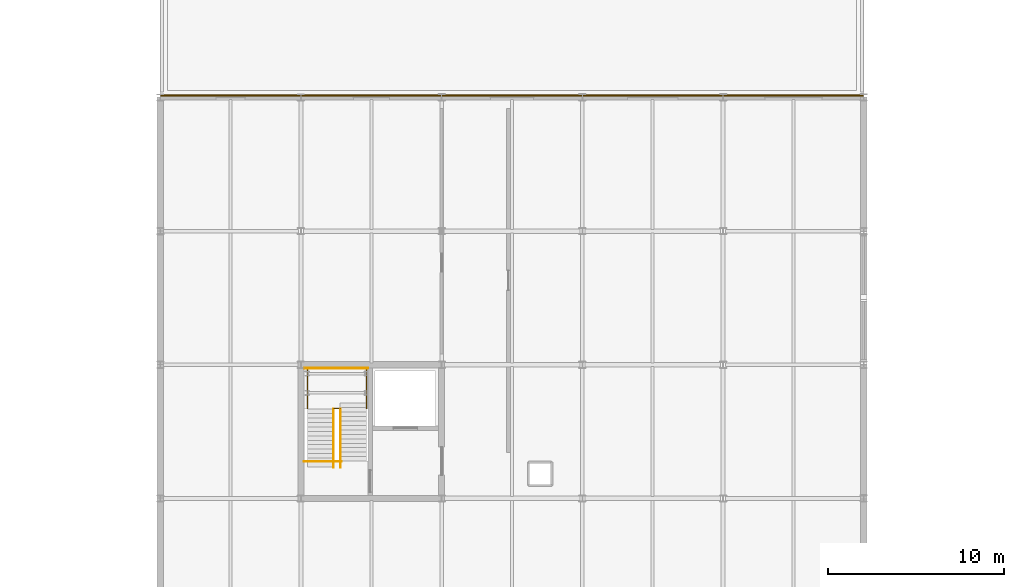
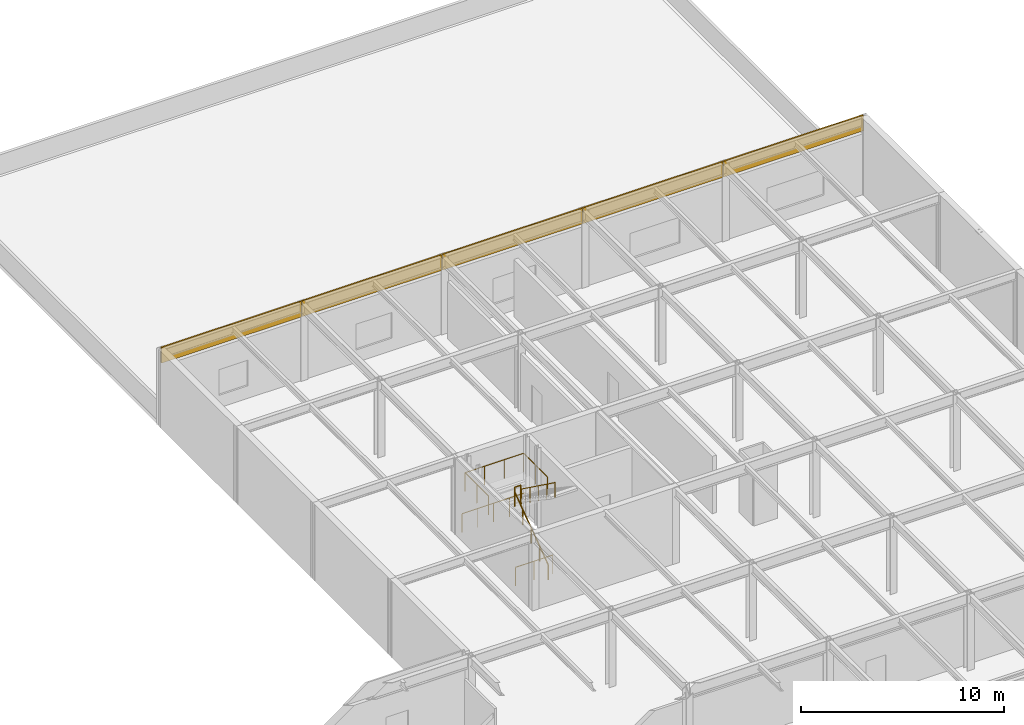
# One storey, part 102 of 104: 6 railings, 5 coverings.
"""IFC4 building model written with IfcOpenShell, lengths in metres."""

from ifc_helpers import new_model, si_unit, direction, frame, origin, origin_2d, place, context, subcontext, project, spatial, rectangle, circle, extrude, material, layer, layer_set, type_object, element, save


model = new_model("IFC4")

# Units and contexts
model_context = context("Model", 3, precision=1e-05, world=origin(), true_north=direction((0.0, 1.0)))
body_context = subcontext(model_context, "Body", "Model", "MODEL_VIEW")
ifc_project = project(units=[si_unit("LENGTHUNIT", "METRE"), si_unit("AREAUNIT", "SQUARE_METRE"), si_unit("VOLUMEUNIT", "CUBIC_METRE"), si_unit("PLANEANGLEUNIT", "RADIAN"), si_unit("MASSUNIT", "GRAM", prefix="KILO")], contexts=[model_context])

# Site, building, storey
site_placement = place(None, origin())
site = spatial("IfcSite", under=ifc_project, at=site_placement, CompositionType="ELEMENT")
building_placement = place(site_placement, origin())
building = spatial("IfcBuilding", under=site, at=building_placement, Name="Zulena Civic Courthouse", CompositionType="ELEMENT")
storey_placement = place(building_placement, frame((0.0, 0.0, 10.800048828125)))
storey = spatial("IfcBuildingStorey", under=building, at=storey_placement, Name="L02", CompositionType="ELEMENT", Elevation=10.800048828125)

# Railings
ifc_material_1 = material(Name="Brushed architectural steel ASTM A36", Category="steel")
railing_type_1 = type_object("IfcRailingType", Name="InteriorGuardrail_1150", PredefinedType="GUARDRAIL", material=ifc_material_1)
railing_1_placement = place(storey_placement, frame((76.199951171875, 75.81005859375, 0.0)))
element("IfcRailing", 1, at=railing_1_placement, inside=storey, type_object=railing_type_1, Name="gr:wellN:K5B:L01", PredefinedType="GUARDRAIL", context=body_context, shape_type="SweptSolid", body=[
    extrude(circle(Radius=0.02392578125, at=origin_2d()), frame((0.00390625, 0.0, 1.1259765625), z_axis=(1.0, 0.0, 0.0), x_axis=(0.0, 1.0, 0.0)), (0.0, 0.0, 1.0), 3.592041015625),
    extrude(circle(Radius=0.02099609375, at=origin_2d()), origin(), (0.0, 0.0, 1.0), 1.097900390625),
    extrude(circle(Radius=0.02099609375, at=origin_2d()), frame((0.89990234375, 0.0, 0.0)), (0.0, 0.0, 1.0), 1.097900390625),
    extrude(circle(Radius=0.02099609375, at=origin_2d()), frame((1.800048828125, 0.0, 0.0)), (0.0, 0.0, 1.0), 1.097900390625),
    extrude(circle(Radius=0.02099609375, at=origin_2d()), frame((2.7001953125, 0.0, 0.0)), (0.0, 0.0, 1.0), 1.097900390625),
    extrude(circle(Radius=0.02099609375, at=origin_2d()), frame((3.60009765625, 0.0, 0.0)), (0.0, 0.0, 1.0), 1.097900390625),
])
railing_2_placement = place(storey_placement, frame((76.179931640625, 70.5, 0.0)))
element("IfcRailing", 2, at=railing_2_placement, inside=storey, type_object=railing_type_1, Name="gr:wells:K5B:L02", PredefinedType="GUARDRAIL", context=body_context, shape_type="SweptSolid", body=[
    extrude(circle(Radius=0.02392578125, at=origin_2d()), frame((0.00390625, 0.0, 1.1259765625), z_axis=(1.0, 0.0, 0.0), x_axis=(0.0, 1.0, 0.0)), (0.0, 0.0, 1.0), 2.112060546875),
    extrude(circle(Radius=0.02099609375, at=origin_2d()), origin(), (0.0, 0.0, 1.0), 1.097900390625),
    extrude(circle(Radius=0.02099609375, at=origin_2d()), frame((1.06005859375, 0.0, 0.0)), (0.0, 0.0, 1.0), 1.097900390625),
    extrude(circle(Radius=0.02099609375, at=origin_2d()), frame((2.1201171875, 0.0, 0.0)), (0.0, 0.0, 1.0), 1.097900390625),
])
railing_3_placement = place(storey_placement, frame((76.3798828125, 73.49462890625, 2.39990234375)))
element("IfcRailing", 3, at=railing_3_placement, inside=storey, type_object=railing_type_1, Name="gr:lnd:K5B:L02", PredefinedType="GUARDRAIL", context=body_context, shape_type="SweptSolid", body=[
    extrude(circle(Radius=0.02392578125, at=origin_2d()), frame((0.0, 0.00390625, 1.1259765625), z_axis=(0.0, 1.0, 0.0), x_axis=(-1.0, 0.0, 0.0)), (0.0, 0.0, 1.0), 2.3173828125),
    extrude(circle(Radius=0.02392578125, at=origin_2d()), frame((0.00390625, 2.325439453125, 1.1259765625), z_axis=(1.0, 0.0, 0.0), x_axis=(0.0, 1.0, 0.0)), (0.0, 0.0, 1.0), 3.33203125),
    extrude(circle(Radius=0.02392578125, at=origin_2d()), frame((3.340087890625, 2.321533203125, 1.1259765625), z_axis=(0.0, -1.0, 0.0), x_axis=(1.0, 0.0, 0.0)), (0.0, 0.0, 1.0), 2.3173828125),
    extrude(circle(Radius=0.02099609375, at=origin_2d()), origin(), (0.0, 0.0, 1.0), 1.097900390625),
    extrude(circle(Radius=0.02099609375, at=origin_2d()), frame((0.0, 1.16259765625, 0.0)), (0.0, 0.0, 1.0), 1.097900390625),
    extrude(circle(Radius=0.02099609375, at=origin_2d()), frame((0.0, 2.325439453125, 0.0)), (0.0, 0.0, 1.0), 1.097900390625),
    extrude(circle(Radius=0.02099609375, at=origin_2d()), frame((1.11328125, 2.325439453125, 0.0)), (0.0, 0.0, 1.0), 1.097900390625),
    extrude(circle(Radius=0.02099609375, at=origin_2d()), frame((2.226806640625, 2.325439453125, 0.0)), (0.0, 0.0, 1.0), 1.097900390625),
    extrude(circle(Radius=0.02099609375, at=origin_2d()), frame((3.340087890625, 2.325439453125, 0.0)), (0.0, 0.0, 1.0), 1.097900390625),
    extrude(circle(Radius=0.02099609375, at=origin_2d()), frame((3.340087890625, 1.16259765625, 0.0)), (0.0, 0.0, 1.0), 1.097900390625),
    extrude(circle(Radius=0.02099609375, at=origin_2d()), frame((3.340087890625, 0.0, 0.0)), (0.0, 0.0, 1.0), 1.097900390625),
])
railing_4_placement = place(storey_placement, frame((77.8798828125, 73.514892578125, 2.39990234375)))
element("IfcRailing", 4, at=railing_4_placement, inside=storey, type_object=railing_type_1, Name="gr:lndslot:K5B:L02", PredefinedType="GUARDRAIL", context=body_context, shape_type="SweptSolid", body=[
    extrude(circle(Radius=0.02392578125, at=origin_2d()), frame((0.00390625, 0.0, 1.1259765625), z_axis=(1.0, 0.0, 0.0), x_axis=(0.0, 1.0, 0.0)), (0.0, 0.0, 1.0), 0.33203125),
    extrude(circle(Radius=0.02099609375, at=origin_2d()), origin(), (0.0, 0.0, 1.0), 1.097900390625),
    extrude(circle(Radius=0.02099609375, at=origin_2d()), frame((0.340087890625, 0.0, 0.0)), (0.0, 0.0, 1.0), 1.097900390625),
])

# Coverings
ifc_material_2 = material(Name="White architectural precast concrete C40/50", Category="concrete")
ifc_layer = layer(ifc_material_2, 0.0849609375)
ifc_layer_set = layer_set([ifc_layer], Name="White architectural precast concrete C40/50")
covering_type = type_object("IfcCoveringType", Name="PrecastSpandrelCladding_85", PredefinedType="CLADDING", material=ifc_layer_set)
for number, where, z_axis, x_axis, name in (
    (5, (72.0, 91.320068359375, 3.659912109375), (0.0, 0.0, 1.0), (1.0, 0.0, 0.0), "clad:sp:V5:L02:3:0"),
    (6, (80.0, 91.320068359375, 3.659912109375), (0.0, 0.0, 1.0), (1.0, 0.0, 0.0), "clad:sp:V5:L02:3:1"),
    (7, (88.0, 91.320068359375, 3.659912109375), (0.0, 0.0, 1.0), (1.0, 0.0, 0.0), "clad:sp:V5:L02:3:2"),
    (8, (96.0, 91.320068359375, 3.659912109375), (0.0, 0.0, 1.0), (1.0, 0.0, 0.0), "clad:sp:V5:L02:3:3"),
    (9, (104.0, 91.320068359375, 3.659912109375), (0.0, 0.0, 1.0), (1.0, 0.0, 0.0), "clad:sp:V5:L02:3:4"),
):
    element("IfcCovering", number, at=place(storey_placement, frame(where, z_axis=z_axis, x_axis=x_axis)), inside=storey, type_object=covering_type, Name=name, PredefinedType="CLADDING", context=body_context, shape_type="SweptSolid", body=[
        extrude(rectangle(XDim=7.9599609375, YDim=0.0849609375, at=origin_2d()), origin(), (0.0, 0.0, 1.0), 0.93994140625),
    ])

# Railings
railing_type_2 = type_object("IfcRailingType", Name="StairHandrail_920", PredefinedType="HANDRAIL", material=ifc_material_1)
railing_5_placement = place(storey_placement, frame((77.85009765625, 70.179931640625, 0.0)))
element("IfcRailing", 10, at=railing_5_placement, inside=storey, type_object=railing_type_2, Name="hr:K5B:L02:1", PredefinedType="HANDRAIL", context=body_context, shape_type="SweptSolid", body=[
    extrude(circle(Radius=0.02392578125, at=origin_2d()), frame((0.0, 0.003173828125, 0.898193359375), z_axis=(0.0, 0.80998804985, 0.586446382119), x_axis=(-1.0, 0.0, 0.0)), (0.0, 0.0, 1.0), 4.084228515625),
    extrude(circle(Radius=0.02099609375, at=origin_2d()), origin(), (0.0, 0.0, 1.0), 0.867919921875),
    extrude(circle(Radius=0.02099609375, at=origin_2d()), frame((0.0, 0.82861328125, 0.60009765625)), (0.0, 0.0, 1.0), 0.867919921875),
    extrude(circle(Radius=0.02099609375, at=origin_2d()), frame((0.0, 1.6572265625, 1.199951171875)), (0.0, 0.0, 1.0), 0.867919921875),
    extrude(circle(Radius=0.02099609375, at=origin_2d()), frame((0.0, 2.486083984375, 1.7998046875)), (0.0, 0.0, 1.0), 0.867919921875),
    extrude(circle(Radius=0.02099609375, at=origin_2d()), frame((0.0, 3.314697265625, 2.39990234375)), (0.0, 0.0, 1.0), 0.867919921875),
])
railing_6_placement = place(storey_placement, frame((78.25, 73.49462890625, 2.39990234375)))
element("IfcRailing", 11, at=railing_6_placement, inside=storey, type_object=railing_type_2, Name="hr:K5B:L02:2", PredefinedType="HANDRAIL", context=body_context, shape_type="SweptSolid", body=[
    extrude(circle(Radius=0.02392578125, at=origin_2d()), frame((0.0, -0.003173828125, 0.898193359375), z_axis=(0.0, -0.809959711079, 0.586485521074), x_axis=(1.0, 0.0, 0.0)), (0.0, 0.0, 1.0), 4.08447265625),
    extrude(circle(Radius=0.02099609375, at=origin_2d()), origin(), (0.0, 0.0, 1.0), 0.867919921875),
    extrude(circle(Radius=0.02099609375, at=origin_2d()), frame((0.0, -0.82861328125, 0.60009765625)), (0.0, 0.0, 1.0), 0.867919921875),
    extrude(circle(Radius=0.02099609375, at=origin_2d()), frame((0.0, -1.6572265625, 1.2001953125)), (0.0, 0.0, 1.0), 0.867919921875),
    extrude(circle(Radius=0.02099609375, at=origin_2d()), frame((0.0, -2.486083984375, 1.800048828125)), (0.0, 0.0, 1.0), 0.867919921875),
    extrude(circle(Radius=0.02099609375, at=origin_2d()), frame((0.0, -3.314697265625, 2.400146484375)), (0.0, 0.0, 1.0), 0.867919921875),
])

save(model, "model.ifc")
